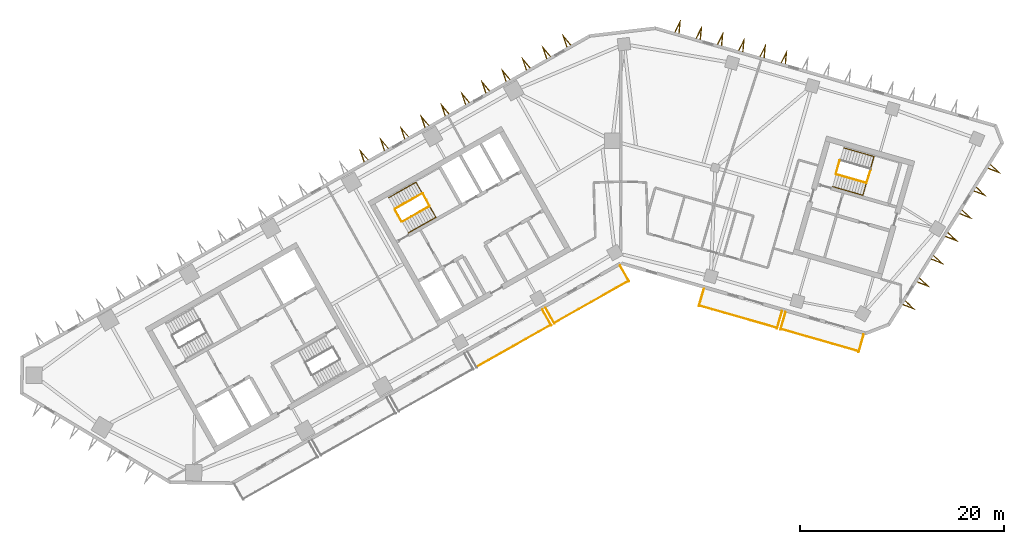
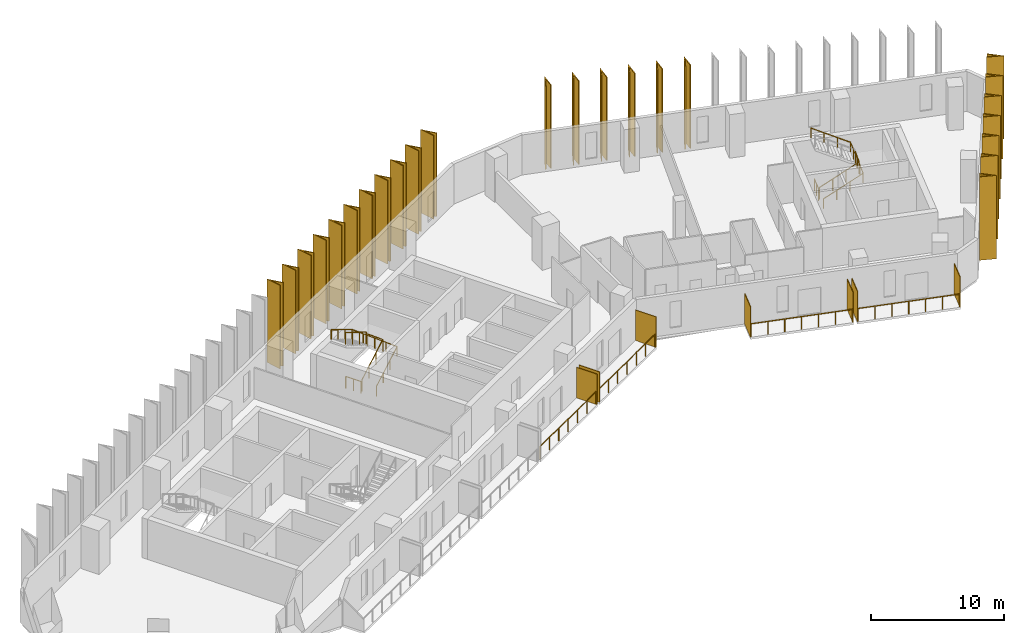
# One storey, part 9 of 10: 31 shading devices, 11 railings.
"""IFC4 building model written with IfcOpenShell, lengths in metres."""

import ifcopenshell
import ifcopenshell.guid

model = None  # the IFC model being written
_history = None  # IfcOwnerHistory: only IFC2X3 demands one
_inside = {}  # id of a spatial element -> (the spatial element, [elements in it])
_under = {}  # id of a project, library or spatial element -> (it, [spatial elements below it])
_declared = {}  # id of a project -> (the project, [libraries it declares])
_typed = {}  # id of a type object -> (the type object, [elements of that type])
_made_of = {}  # id of a material, layer set ... -> (it, [elements and type objects made of it])


def new_model(schema):
    """Start an empty IFC model of exactly this schema.

    Asked for "IFC4X3", IfcOpenShell would pick the latest addendum, in which some entities
    have other attributes; the version numbers below select the first issue.
    IFC2X3 requires an IfcOwnerHistory on every rooted entity: one is made here for all.
    """
    global model, _history
    if schema == "IFC4X3":
        model = ifcopenshell.file(schema_version=(4, 3, 0, 0))
    else:
        model = ifcopenshell.file(schema=schema)
    _inside.clear()
    _under.clear()
    _declared.clear()
    _typed.clear()
    _made_of.clear()
    _history = None
    if model.schema == "IFC2X3":
        org = make("IfcOrganization", Name="unknown")
        user = make(
            "IfcPersonAndOrganization",
            ThePerson=make("IfcPerson", FamilyName="unknown"),
            TheOrganization=org,
        )
        app = make(
            "IfcApplication",
            ApplicationDeveloper=org,
            Version="unknown",
            ApplicationFullName="unknown",
            ApplicationIdentifier="unknown",
        )
        _history = make(
            "IfcOwnerHistory",
            OwningUser=user,
            OwningApplication=app,
            ChangeAction="ADDED",
            CreationDate=0,
        )
    return model


def make(cls, **values):
    """One entity of the class cls with the attributes given. An attribute that is None is left unset."""
    return model.create_entity(
        cls, **{name: value for name, value in values.items() if value is not None}
    )


def rooted(cls, **values):
    """An entity with a GlobalId (a new one), such as an element, a storey or a relation."""
    return make(cls, GlobalId=ifcopenshell.guid.new(), OwnerHistory=_history, **values)


def si_unit(unit_type, name, prefix=None):
    """IfcSIUnit, for example si_unit("LENGTHUNIT", "METRE", prefix="MILLI")."""
    return make("IfcSIUnit", UnitType=unit_type, Prefix=prefix, Name=name)


def assignment(units):
    """IfcUnitAssignment: the units of a project."""
    return None if units is None else make("IfcUnitAssignment", Units=units)


def point(xyz):
    """IfcCartesianPoint."""
    return None if xyz is None else make("IfcCartesianPoint", Coordinates=xyz)


def direction(xyz):
    """IfcDirection."""
    return None if xyz is None else make("IfcDirection", DirectionRatios=xyz)


def frame(location, z_axis=None, x_axis=None):
    """IfcAxis2Placement3D, a coordinate frame: its origin and axes. An axis left out is left unset."""
    return make(
        "IfcAxis2Placement3D",
        Location=point(location),
        Axis=direction(z_axis),
        RefDirection=direction(x_axis),
    )


def frame_2d(location, x_axis=None):
    """IfcAxis2Placement2D, a coordinate frame in the plane: its origin and x axis."""
    return make(
        "IfcAxis2Placement2D", Location=point(location), RefDirection=direction(x_axis)
    )


def origin():
    """The frame at (0, 0, 0) with its axes left unset."""
    return frame((0.0, 0.0, 0.0))


def origin_2d():
    """The frame at (0, 0) in the plane with its x axis left unset."""
    return frame_2d((0.0, 0.0))


def place(relative_to, where):
    """IfcLocalPlacement: puts the frame where relative to a parent placement (None: the world)."""
    return make(
        "IfcLocalPlacement", PlacementRelTo=relative_to, RelativePlacement=where
    )


def context(
    kind, dimensions, precision=None, world=None, true_north=None, identifier=None
):
    """IfcGeometricRepresentationContext, for example the 3D "Model" context."""
    return make(
        "IfcGeometricRepresentationContext",
        ContextIdentifier=identifier,
        ContextType=kind,
        CoordinateSpaceDimension=dimensions,
        Precision=precision,
        WorldCoordinateSystem=world,
        TrueNorth=true_north,
    )


def subcontext(parent, identifier, kind, view, scale=None):
    """IfcGeometricRepresentationSubContext, for example "Body" below "Model"."""
    return make(
        "IfcGeometricRepresentationSubContext",
        ContextIdentifier=identifier,
        ContextType=kind,
        ParentContext=parent,
        TargetScale=scale,
        TargetView=view,
    )


def project(units=None, contexts=None):
    """IfcProject with its units and contexts."""
    return rooted(
        "IfcProject",
        Name="project",
        RepresentationContexts=contexts,
        UnitsInContext=assignment(units),
    )


def spatial(cls, under=None, at=None, **own):
    """A site, building, storey or space (cls), placed at a placement, below another one or the project."""
    s = rooted(cls, ObjectPlacement=at, **own)
    if under is not None:
        _under.setdefault(under.id(), (under, []))[1].append(s)
    return s


def polyline(points):
    """IfcPolyline through the points."""
    return make("IfcPolyline", Points=[point(p) for p in points])


def profile(cls, at=None, kind="AREA", **sizes):
    """A parametric profile (cls). Its sizes go by their IFC names, for example OverallWidth=200.0."""
    return make(cls, ProfileType=kind, Position=at, **sizes)


def rectangle(**sizes):
    """IfcRectangleProfileDef."""
    return profile("IfcRectangleProfileDef", **sizes)


def circle(**sizes):
    """IfcCircleProfileDef."""
    return profile("IfcCircleProfileDef", **sizes)


def outline(outer, holes=None, kind="AREA"):
    """IfcArbitraryClosedProfileDef: a profile drawn as a closed curve; with holes, ...WithVoids."""
    if holes is None:
        return make("IfcArbitraryClosedProfileDef", ProfileType=kind, OuterCurve=outer)
    return make(
        "IfcArbitraryProfileDefWithVoids",
        ProfileType=kind,
        OuterCurve=outer,
        InnerCurves=holes,
    )


def extrude(swept, where, along, depth):
    """IfcExtrudedAreaSolid: the profile swept, set in the frame where, extruded along a direction by depth."""
    return make(
        "IfcExtrudedAreaSolid",
        SweptArea=swept,
        Position=where,
        ExtrudedDirection=direction(along),
        Depth=depth,
    )


def shape(context_of_items, identifier, shape_type, items):
    """IfcShapeRepresentation: the items that make up one representation, for example the "Body"."""
    return make(
        "IfcShapeRepresentation",
        ContextOfItems=context_of_items,
        RepresentationIdentifier=identifier,
        RepresentationType=shape_type,
        Items=items,
    )


def material(Name=None, Category=None):
    """IfcMaterial."""
    return make("IfcMaterial", Name=Name, Category=Category)


def layer(
    of_material, thickness, ventilated=None, Name=None, Category=None, Priority=None
):
    """IfcMaterialLayer: one layer of a wall or slab, of a material (None: an air gap)."""
    return make(
        "IfcMaterialLayer",
        Material=of_material,
        LayerThickness=thickness,
        IsVentilated=ventilated,
        Name=Name,
        Category=Category,
        Priority=Priority,
    )


def layer_set(layers, Name=None):
    """IfcMaterialLayerSet."""
    return make("IfcMaterialLayerSet", MaterialLayers=layers, LayerSetName=Name)


def made_of(thing, what):
    """Note that an element or type object is made of a material, layer set ...; save() writes the relation."""
    if what is not None:
        _made_of.setdefault(what.id(), (what, []))[1].append(thing)
    return thing


def type_object(cls, material=None, **own):
    """A type object (cls), such as IfcWallType, which elements share."""
    return made_of(rooted(cls, **own), material)


def element(
    cls,
    number,
    at=None,
    inside=None,
    cuts=None,
    type_object=None,
    material=None,
    context=None,
    identifier="Body",
    shape_type=None,
    held_by="IfcProductDefinitionShape",
    body=None,
    shapes=None,
    **own,
):
    """One element of the class cls, such as IfcWall. Its Tag is "e" and its number.

    at: its placement. inside: the storey or other place that contains it. cuts: it is an
    opening in that element (IfcRelVoidsElement). A single representation is given by context,
    identifier, shape_type and body (its items); several are given by shapes. held_by: the class
    of the entity that holds the representations. save() writes the other relations.
    """
    e = rooted(cls, Tag="e%d" % number, ObjectPlacement=at, **own)
    if body is not None:
        shapes = [shape(context, identifier, shape_type, body)]
    if shapes is not None:
        e.Representation = make(held_by, Representations=shapes)
    if inside is not None:
        _inside.setdefault(inside.id(), (inside, []))[1].append(e)
    if cuts is not None:
        rooted(
            "IfcRelVoidsElement", RelatingBuildingElement=cuts, RelatedOpeningElement=e
        )
    if type_object is not None:
        _typed.setdefault(type_object.id(), (type_object, []))[1].append(e)
    return made_of(e, material)


def aggregate(whole, parts):
    """IfcRelAggregates: a whole, such as a stair, and the parts it consists of."""
    return rooted("IfcRelAggregates", RelatingObject=whole, RelatedObjects=parts)


def save(model, path):
    """Write the relations noted so far, then the file.

    IfcRelAggregates (storeys below a building ...), IfcRelContainedInSpatialStructure (elements
    in a storey), IfcRelDefinesByType, IfcRelAssociatesMaterial and IfcRelDeclares: one each for
    every whole, place, type object, material and project.
    """
    for whole, parts in _under.values():
        aggregate(whole, parts)
    for where, things in _inside.values():
        rooted(
            "IfcRelContainedInSpatialStructure",
            RelatedElements=things,
            RelatingStructure=where,
        )
    for kind, things in _typed.values():
        rooted("IfcRelDefinesByType", RelatedObjects=things, RelatingType=kind)
    for what, things in _made_of.values():
        rooted("IfcRelAssociatesMaterial", RelatedObjects=things, RelatingMaterial=what)
    for by, libraries in _declared.values():
        rooted("IfcRelDeclares", RelatingContext=by, RelatedDefinitions=libraries)
    model.write(path)


model = new_model("IFC4")

# Units and contexts
model_context = context("Model", 3, precision=1e-05, world=origin(), true_north=direction((0.0, 1.0)))
body_context = subcontext(model_context, "Body", "Model", "MODEL_VIEW")
ifc_project = project(units=[si_unit("LENGTHUNIT", "METRE"), si_unit("AREAUNIT", "SQUARE_METRE"), si_unit("VOLUMEUNIT", "CUBIC_METRE"), si_unit("PLANEANGLEUNIT", "RADIAN"), si_unit("MASSUNIT", "GRAM", prefix="KILO")], contexts=[model_context])

# Site, building, storey
site_placement = place(None, origin())
site = spatial("IfcSite", under=ifc_project, at=site_placement, CompositionType="ELEMENT")
building_placement = place(site_placement, origin())
building = spatial("IfcBuilding", under=site, at=building_placement, Name="Binnacle Exchange Tower", CompositionType="ELEMENT")
storey_placement = place(building_placement, frame((0.0, 0.0, 186.89990234375)))
storey = spatial("IfcBuildingStorey", under=building, at=storey_placement, Name="L40", CompositionType="ELEMENT", Elevation=186.89990234375)

# Railings
ifc_material_1 = material(Name="Bronze anodised aluminium frame", Category="aluminium")
railing_type_1 = type_object("IfcRailingType", Name="GUARD 1200", PredefinedType="GUARDRAIL", material=ifc_material_1)
railing_1_placement = place(storey_placement, frame((-14.135498046875, 37.85400390625, 0.0)))
element("IfcRailing", 1, at=railing_1_placement, inside=storey, type_object=railing_type_1, Name="Balcony guard G01-B03 L40", PredefinedType="GUARDRAIL", context=body_context, shape_type="SweptSolid", body=[
    extrude(circle(Radius=0.02392578125, at=origin_2d()), frame((0.0, 0.0, 1.17578125), z_axis=(0.870365821494, 0.492405662818, 0.0), x_axis=(-0.492405662818, 0.870365821494, 0.0)), (0.0, 0.0, 1.0), 8.334716796875),
    extrude(circle(Radius=0.02099609375, at=origin_2d()), origin(), (0.0, 0.0, 1.0), 1.15185546875),
    extrude(circle(Radius=0.02099609375, at=origin_2d()), frame((1.208984375, 0.68408203125, 0.0)), (0.0, 0.0, 1.0), 1.15185546875),
    extrude(circle(Radius=0.02099609375, at=origin_2d()), frame((2.41796875, 1.367919921875, 0.0)), (0.0, 0.0, 1.0), 1.15185546875),
    extrude(circle(Radius=0.02099609375, at=origin_2d()), frame((3.626953125, 2.052001953125, 0.0)), (0.0, 0.0, 1.0), 1.15185546875),
    extrude(circle(Radius=0.02099609375, at=origin_2d()), frame((4.836181640625, 2.736083984375, 0.0)), (0.0, 0.0, 1.0), 1.15185546875),
    extrude(circle(Radius=0.02099609375, at=origin_2d()), frame((6.045166015625, 3.419921875, 0.0)), (0.0, 0.0, 1.0), 1.15185546875),
    extrude(circle(Radius=0.02099609375, at=origin_2d()), frame((7.254150390625, 4.10400390625, 0.0)), (0.0, 0.0, 1.0), 1.15185546875),
])
railing_2_placement = place(storey_placement, frame((-6.515869140625, 42.164794921875, 0.0)))
element("IfcRailing", 2, at=railing_2_placement, inside=storey, type_object=railing_type_1, Name="Balcony guard G01-B04 L40", PredefinedType="GUARDRAIL", context=body_context, shape_type="SweptSolid", body=[
    extrude(circle(Radius=0.02392578125, at=origin_2d()), frame((0.0, 0.0, 1.17578125), z_axis=(0.8703461643, 0.49244040684, 0.0), x_axis=(-0.49244040684, 0.8703461643, 0.0)), (0.0, 0.0, 1.0), 8.33447265625),
    extrude(circle(Radius=0.02099609375, at=origin_2d()), origin(), (0.0, 0.0, 1.0), 1.15185546875),
    extrude(circle(Radius=0.02099609375, at=origin_2d()), frame((1.208984375, 0.68408203125, 0.0)), (0.0, 0.0, 1.0), 1.15185546875),
    extrude(circle(Radius=0.02099609375, at=origin_2d()), frame((2.41796875, 1.3681640625, 0.0)), (0.0, 0.0, 1.0), 1.15185546875),
    extrude(circle(Radius=0.02099609375, at=origin_2d()), frame((3.626953125, 2.05224609375, 0.0)), (0.0, 0.0, 1.0), 1.15185546875),
    extrude(circle(Radius=0.02099609375, at=origin_2d()), frame((4.8359375, 2.736083984375, 0.0)), (0.0, 0.0, 1.0), 1.15185546875),
    extrude(circle(Radius=0.02099609375, at=origin_2d()), frame((6.044921875, 3.420166015625, 0.0)), (0.0, 0.0, 1.0), 1.15185546875),
    extrude(circle(Radius=0.02099609375, at=origin_2d()), frame((7.25390625, 4.104248046875, 0.0)), (0.0, 0.0, 1.0), 1.15185546875),
])
for number, where, name in (
    (3, (7.6845703125, 43.85107421875, 0.0), "Balcony guard G02-B01 L40"),
    (4, (15.6826171875, 41.5576171875, 0.0), "Balcony guard G02-B02 L40"),
):
    element("IfcRailing", number, at=place(storey_placement, frame(where)), inside=storey, type_object=railing_type_1, Name=name, PredefinedType="GUARDRAIL", context=body_context, shape_type="SweptSolid", body=[
        extrude(circle(Radius=0.02392578125, at=origin_2d()), frame((0.0, 0.0, 1.17578125), z_axis=(0.961265805968, -0.275623022035, 0.0), x_axis=(0.275623022035, 0.961265805968, 0.0)), (0.0, 0.0, 1.0), 7.900146484375),
        extrude(circle(Radius=0.02099609375, at=origin_2d()), origin(), (0.0, 0.0, 1.0), 1.15185546875),
        extrude(circle(Radius=0.02099609375, at=origin_2d()), frame((1.265625, -0.36279296875, 0.0)), (0.0, 0.0, 1.0), 1.15185546875),
        extrude(circle(Radius=0.02099609375, at=origin_2d()), frame((2.531494140625, -0.725830078125, 0.0)), (0.0, 0.0, 1.0), 1.15185546875),
        extrude(circle(Radius=0.02099609375, at=origin_2d()), frame((3.797119140625, -1.0888671875, 0.0)), (0.0, 0.0, 1.0), 1.15185546875),
        extrude(circle(Radius=0.02099609375, at=origin_2d()), frame((5.062744140625, -1.45166015625, 0.0)), (0.0, 0.0, 1.0), 1.15185546875),
        extrude(circle(Radius=0.02099609375, at=origin_2d()), frame((6.32861328125, -1.814453125, 0.0)), (0.0, 0.0, 1.0), 1.15185546875),
        extrude(circle(Radius=0.02099609375, at=origin_2d()), frame((7.59423828125, -2.177490234375, 0.0)), (0.0, 0.0, 1.0), 1.15185546875),
    ])

# Shading devices
ifc_material_2 = material(Name="Bronze aluminium louvre", Category="aluminium")
ifc_layer = layer(ifc_material_2, 0.06005859375)
ifc_layer_set = layer_set([ifc_layer], Name="PLANTED SCREEN 60x2800")
shading_device_type_1 = type_object("IfcShadingDeviceType", Name="PLANTED SCREEN 60x2800", PredefinedType="USERDEFINED", material=ifc_layer_set)
for number, where, z_axis, x_axis, name in (
    (5, (-7.259033203125, 42.6865234375, 0.0), (0.0, 0.0, 1.0), (0.87035569594, 0.492423560103, 0.0), "Planted screen G01-B03b L40"),
    (6, (-6.94580078125, 42.864013671875, 0.0), (0.0, 0.0, 1.0), (0.87035569594, 0.492423560103, 0.0), "Planted screen G01-B04a L40"),
    (7, (0.3603515625, 46.99755859375, 0.0), (0.0, 0.0, 1.0), (0.87035569594, 0.492423560103, 0.0), "Planted screen G01-B04b L40"),
    (8, (7.881591796875, 44.647705078125, 0.0), (0.0, 0.0, 1.0), (0.961261695938, -0.275637355817, 0.0), "Planted screen G02-B01a L40"),
    (9, (15.53369140625, 42.45361328125, 0.0), (0.0, 0.0, 1.0), (0.961261695938, -0.275637355817, 0.0), "Planted screen G02-B01b L40"),
    (10, (15.8798828125, 42.354248046875, 0.0), (0.0, 0.0, 1.0), (0.961261695938, -0.275637355817, 0.0), "Planted screen G02-B02a L40"),
    (11, (23.53173828125, 40.16015625, 0.0), (0.0, 0.0, 1.0), (0.961261695938, -0.275637355817, 0.0), "Planted screen G02-B02b L40"),
):
    element("IfcShadingDevice", number, at=place(storey_placement, frame(where, z_axis=z_axis, x_axis=x_axis)), inside=storey, type_object=shading_device_type_1, Name=name, ObjectType="SCREEN", PredefinedType="USERDEFINED", context=body_context, shape_type="SweptSolid", body=[
        extrude(rectangle(XDim=0.06005859375, YDim=1.800048828125, at=origin_2d()), origin(), (0.0, 0.0, 1.0), 2.800048828125),
    ])

# Railings
ifc_material_3 = material(Name="Steel guard rail", Category="steel")
railing_type_2 = type_object("IfcRailingType", Name="STAIR GUARD 1100", PredefinedType="GUARDRAIL", material=ifc_material_3)
railing_3_placement = place(storey_placement, frame((-21.423828125, 52.07275390625, 0.166748046875)))
element("IfcRailing", 12, at=railing_3_placement, inside=storey, type_object=railing_type_2, Name="L40 STC1 stair guard 1", PredefinedType="GUARDRAIL", context=body_context, shape_type="SweptSolid", body=[
    extrude(circle(Radius=0.02392578125, at=origin_2d()), frame((0.0, 0.0, 1.076171875), z_axis=(0.747900833971, 0.423129324283, 0.511474258861), x_axis=(-0.492412445098, 0.870361984414, 0.0)), (0.0, 0.0, 1.0), 3.584228515625),
    extrude(circle(Radius=0.02392578125, at=origin_2d()), frame((2.6806640625, 1.5166015625, 2.9091796875), z_axis=(-0.460963092712, 0.887419307406, 0.0), x_axis=(-0.887419307406, -0.460963092712, 0.0)), (0.0, 0.0, 1.0), 1.40087890625),
    extrude(circle(Radius=0.02099609375, at=origin_2d()), origin(), (0.0, 0.0, 1.0), 1.052001953125),
    extrude(circle(Radius=0.02099609375, at=origin_2d()), frame((0.8935546875, 0.505615234375, 0.611083984375)), (0.0, 0.0, 1.0), 1.052001953125),
    extrude(circle(Radius=0.02099609375, at=origin_2d()), frame((1.787109375, 1.010986328125, 1.22216796875)), (0.0, 0.0, 1.0), 1.052001953125),
    extrude(circle(Radius=0.02099609375, at=origin_2d()), frame((2.6806640625, 1.5166015625, 1.833251953125)), (0.0, 0.0, 1.0), 1.052001953125),
    extrude(circle(Radius=0.02099609375, at=origin_2d()), frame((2.35791015625, 2.13818359375, 1.833251953125)), (0.0, 0.0, 1.0), 1.052001953125),
    extrude(circle(Radius=0.02099609375, at=origin_2d()), frame((2.034912109375, 2.759765625, 1.833251953125)), (0.0, 0.0, 1.0), 1.052001953125),
])
railing_4_placement = place(storey_placement, frame((-19.45703125, 54.851318359375, 2.166748046875)))
element("IfcRailing", 13, at=railing_4_placement, inside=storey, type_object=railing_type_2, Name="L40 STC1 stair guard 2", PredefinedType="GUARDRAIL", context=body_context, shape_type="SweptSolid", body=[
    extrude(circle(Radius=0.02392578125, at=origin_2d()), frame((0.0, 0.0, 1.076171875), z_axis=(-0.747900833971, -0.423129324283, 0.511474258861), x_axis=(0.492412445098, -0.870361984414, 0.0)), (0.0, 0.0, 1.0), 3.584228515625),
    extrude(circle(Radius=0.02099609375, at=origin_2d()), origin(), (0.0, 0.0, 1.0), 1.052001953125),
    extrude(circle(Radius=0.02099609375, at=origin_2d()), frame((-0.8935546875, -0.505615234375, 0.611083984375)), (0.0, 0.0, 1.0), 1.052001953125),
    extrude(circle(Radius=0.02099609375, at=origin_2d()), frame((-1.787109375, -1.010986328125, 1.22216796875)), (0.0, 0.0, 1.0), 1.052001953125),
    extrude(circle(Radius=0.02099609375, at=origin_2d()), frame((-2.6806640625, -1.5166015625, 1.833251953125)), (0.0, 0.0, 1.0), 1.052001953125),
])
railing_5_placement = place(storey_placement, frame((-21.491943359375, 52.091552734375, 0.0)))
element("IfcRailing", 14, at=railing_5_placement, inside=storey, type_object=railing_type_2, Name="L40 STC1 stair guard 3", PredefinedType="GUARDRAIL", context=body_context, shape_type="SweptSolid", body=[
    extrude(circle(Radius=0.02392578125, at=origin_2d()), frame((0.0, 0.0, 1.076171875), z_axis=(-0.49241474071, 0.870360685654, 0.0), x_axis=(-0.870360685654, -0.49241474071, 0.0)), (0.0, 0.0, 1.0), 1.35009765625),
    extrude(circle(Radius=0.02099609375, at=origin_2d()), origin(), (0.0, 0.0, 1.0), 1.052001953125),
    extrude(circle(Radius=0.02099609375, at=origin_2d()), frame((-0.33251953125, 0.58740234375, 0.0)), (0.0, 0.0, 1.0), 1.052001953125),
    extrude(circle(Radius=0.02099609375, at=origin_2d()), frame((-0.664794921875, 1.175048828125, 0.0)), (0.0, 0.0, 1.0), 1.052001953125),
])
railing_6_placement = place(storey_placement, frame((21.086669921875, 56.71044921875, 0.166748046875)))
element("IfcRailing", 15, at=railing_6_placement, inside=storey, type_object=railing_type_2, Name="L40 STD1 stair guard 1", PredefinedType="GUARDRAIL", context=body_context, shape_type="SweptSolid", body=[
    extrude(circle(Radius=0.02392578125, at=origin_2d()), frame((0.0, 0.0, 1.076171875), z_axis=(0.826006950853, -0.236897186037, 0.511460888427), x_axis=(0.27568413623, 0.961248280639, 0.0)), (0.0, 0.0, 1.0), 3.584228515625),
    extrude(circle(Radius=0.02392578125, at=origin_2d()), frame((2.960693359375, -0.84912109375, 2.9091796875), z_axis=(0.309684985722, 0.950839213337, 0.0), x_axis=(-0.950839213337, 0.309684985722, 0.0)), (0.0, 0.0, 1.0), 1.40087890625),
    extrude(circle(Radius=0.02099609375, at=origin_2d()), origin(), (0.0, 0.0, 1.0), 1.052001953125),
    extrude(circle(Radius=0.02099609375, at=origin_2d()), frame((0.98681640625, -0.282958984375, 0.611083984375)), (0.0, 0.0, 1.0), 1.052001953125),
    extrude(circle(Radius=0.02099609375, at=origin_2d()), frame((1.973876953125, -0.566162109375, 1.22216796875)), (0.0, 0.0, 1.0), 1.052001953125),
    extrude(circle(Radius=0.02099609375, at=origin_2d()), frame((2.960693359375, -0.84912109375, 1.833251953125)), (0.0, 0.0, 1.0), 1.052001953125),
    extrude(circle(Radius=0.02099609375, at=origin_2d()), frame((3.177734375, -0.18310546875, 1.833251953125)), (0.0, 0.0, 1.0), 1.052001953125),
    extrude(circle(Radius=0.02099609375, at=origin_2d()), frame((3.39453125, 0.48291015625, 1.833251953125)), (0.0, 0.0, 1.0), 1.052001953125),
])
railing_7_placement = place(storey_placement, frame((21.05224609375, 56.772216796875, 0.0)))
element("IfcRailing", 16, at=railing_7_placement, inside=storey, type_object=railing_type_2, Name="L40 STD1 stair guard 3", PredefinedType="GUARDRAIL", context=body_context, shape_type="SweptSolid", body=[
    extrude(circle(Radius=0.02392578125, at=origin_2d()), frame((0.0, 0.0, 1.076171875), z_axis=(0.275795817769, 0.961216243569, 0.0), x_axis=(-0.961216243569, 0.275795817769, 0.0)), (0.0, 0.0, 1.0), 1.349853515625),
    extrude(circle(Radius=0.02099609375, at=origin_2d()), origin(), (0.0, 0.0, 1.0), 1.052001953125),
    extrude(circle(Radius=0.02099609375, at=origin_2d()), frame((0.18603515625, 0.64892578125, 0.0)), (0.0, 0.0, 1.0), 1.052001953125),
    extrude(circle(Radius=0.02099609375, at=origin_2d()), frame((0.372314453125, 1.297607421875, 0.0)), (0.0, 0.0, 1.0), 1.052001953125),
])
ifc_material_4 = material(Name="Steel handrail", Category="steel")
railing_type_3 = type_object("IfcRailingType", Name="STAIR HANDRAIL 900", PredefinedType="HANDRAIL", material=ifc_material_4)
railing_8_placement = place(storey_placement, frame((-20.808349609375, 50.984619140625, 0.166748046875)))
element("IfcRailing", 17, at=railing_8_placement, inside=storey, type_object=railing_type_3, Name="L40 STC1 stair handrail 1", PredefinedType="HANDRAIL", context=body_context, shape_type="SweptSolid", body=[
    extrude(circle(Radius=0.02392578125, at=origin_2d()), frame((0.0, 0.0, 0.8759765625), z_axis=(0.747909291085, 0.423163685048, 0.51143346387), x_axis=(-0.49243851748, 0.870347233294, 0.0)), (0.0, 0.0, 1.0), 3.58447265625),
    extrude(circle(Radius=0.02392578125, at=origin_2d()), frame((2.680908203125, 1.516845703125, 2.708984375), z_axis=(-0.492001882252, 0.86957179666, 0.042178647619), x_axis=(-0.87034633103, -0.492440112159, 0.0)), (0.0, 0.0, 1.0), 3.953369140625),
    extrude(circle(Radius=0.02392578125, at=origin_2d()), frame((0.73583984375, 4.95458984375, 2.8759765625), z_axis=(-0.747930846092, -0.423107769413, 0.511448203561), x_axis=(0.492378474645, -0.870381202524, 0.0)), (0.0, 0.0, 1.0), 3.58447265625),
    extrude(circle(Radius=0.02099609375, at=origin_2d()), origin(), (0.0, 0.0, 1.0), 0.851806640625),
    extrude(circle(Radius=0.02099609375, at=origin_2d()), frame((0.8935546875, 0.505615234375, 0.611083984375)), (0.0, 0.0, 1.0), 0.851806640625),
    extrude(circle(Radius=0.02099609375, at=origin_2d()), frame((1.787353515625, 1.01123046875, 1.22216796875)), (0.0, 0.0, 1.0), 0.851806640625),
    extrude(circle(Radius=0.02099609375, at=origin_2d()), frame((2.680908203125, 1.516845703125, 1.833251953125)), (0.0, 0.0, 1.0), 0.851806640625),
    extrude(circle(Radius=0.02099609375, at=origin_2d()), frame((2.194580078125, 2.376220703125, 1.875)), (0.0, 0.0, 1.0), 0.851806640625),
    extrude(circle(Radius=0.02099609375, at=origin_2d()), frame((1.70849609375, 3.23583984375, 1.91650390625)), (0.0, 0.0, 1.0), 0.851806640625),
    extrude(circle(Radius=0.02099609375, at=origin_2d()), frame((1.22216796875, 4.09521484375, 1.958251953125)), (0.0, 0.0, 1.0), 0.851806640625),
    extrude(circle(Radius=0.02099609375, at=origin_2d()), frame((0.73583984375, 4.95458984375, 2.0)), (0.0, 0.0, 1.0), 0.851806640625),
    extrude(circle(Radius=0.02099609375, at=origin_2d()), frame((-0.15771484375, 4.448974609375, 2.611083984375)), (0.0, 0.0, 1.0), 0.851806640625),
    extrude(circle(Radius=0.02099609375, at=origin_2d()), frame((-1.051513671875, 3.943603515625, 3.22216796875)), (0.0, 0.0, 1.0), 0.851806640625),
    extrude(circle(Radius=0.02099609375, at=origin_2d()), frame((-1.945068359375, 3.43798828125, 3.833251953125)), (0.0, 0.0, 1.0), 0.851806640625),
])
railing_9_placement = place(storey_placement, frame((20.7421875, 55.5087890625, 0.166748046875)))
element("IfcRailing", 18, at=railing_9_placement, inside=storey, type_object=railing_type_3, Name="L40 STD1 stair handrail 1", PredefinedType="HANDRAIL", context=body_context, shape_type="SweptSolid", body=[
    extrude(circle(Radius=0.02392578125, at=origin_2d()), frame((0.0, 0.0, 0.8759765625), z_axis=(0.826020277534, -0.236832893954, 0.511469140266), x_axis=(0.275610892984, 0.961269283639, 0.0)), (0.0, 0.0, 1.0), 3.584228515625),
    extrude(circle(Radius=0.02392578125, at=origin_2d()), frame((2.960693359375, -0.848876953125, 2.708984375), z_axis=(0.275365570671, 0.960413849534, 0.042178668932), x_axis=(-0.961269298493, 0.275610841177, 0.0)), (0.0, 0.0, 1.0), 3.953369140625),
    extrude(circle(Radius=0.02392578125, at=origin_2d()), frame((4.04931640625, 2.947998046875, 2.8759765625), z_axis=(-0.826020277534, 0.236832893954, 0.511469140266), x_axis=(-0.275610892984, -0.961269283639, 0.0)), (0.0, 0.0, 1.0), 3.584228515625),
    extrude(circle(Radius=0.02099609375, at=origin_2d()), origin(), (0.0, 0.0, 1.0), 0.851806640625),
    extrude(circle(Radius=0.02099609375, at=origin_2d()), frame((0.98681640625, -0.282958984375, 0.611083984375)), (0.0, 0.0, 1.0), 0.851806640625),
    extrude(circle(Radius=0.02099609375, at=origin_2d()), frame((1.973876953125, -0.56591796875, 1.22216796875)), (0.0, 0.0, 1.0), 0.851806640625),
    extrude(circle(Radius=0.02099609375, at=origin_2d()), frame((2.960693359375, -0.848876953125, 1.833251953125)), (0.0, 0.0, 1.0), 0.851806640625),
    extrude(circle(Radius=0.02099609375, at=origin_2d()), frame((3.23291015625, 0.100341796875, 1.875)), (0.0, 0.0, 1.0), 0.851806640625),
    extrude(circle(Radius=0.02099609375, at=origin_2d()), frame((3.5048828125, 1.049560546875, 1.91650390625)), (0.0, 0.0, 1.0), 0.851806640625),
    extrude(circle(Radius=0.02099609375, at=origin_2d()), frame((3.777099609375, 1.998779296875, 1.958251953125)), (0.0, 0.0, 1.0), 0.851806640625),
    extrude(circle(Radius=0.02099609375, at=origin_2d()), frame((4.04931640625, 2.947998046875, 2.0)), (0.0, 0.0, 1.0), 0.851806640625),
    extrude(circle(Radius=0.02099609375, at=origin_2d()), frame((3.0625, 3.23095703125, 2.611083984375)), (0.0, 0.0, 1.0), 0.851806640625),
    extrude(circle(Radius=0.02099609375, at=origin_2d()), frame((2.075439453125, 3.513916015625, 3.22216796875)), (0.0, 0.0, 1.0), 0.851806640625),
    extrude(circle(Radius=0.02099609375, at=origin_2d()), frame((1.088623046875, 3.796875, 3.833251953125)), (0.0, 0.0, 1.0), 0.851806640625),
])

# Shading devices
ifc_material_5 = material(Name="Bronze aluminium cladding", Category="aluminium")
shading_device_type_2 = type_object("IfcShadingDeviceType", Name="V FIN 1300 DEEP x 7680 HIGH", PredefinedType="USERDEFINED", material=ifc_material_5)
shading_device_1_placement = place(storey_placement, origin())
element("IfcShadingDevice", 19, at=shading_device_1_placement, inside=storey, type_object=shading_device_type_2, Name="V fin FN-G04-01 L40", ObjectType="FIN", PredefinedType="USERDEFINED", context=body_context, shape_type="SweptSolid", body=[
    extrude(outline(polyline([(27.61669921875, 43.9130859375), (28.851806640625, 43.43603515625), (27.881591796875, 44.3369140625), (27.83837890625, 44.267822265625), (28.492431640625, 43.66064453125), (27.659912109375, 43.982177734375), (27.61669921875, 43.9130859375)])), origin(), (0.0, 0.0, 1.0), 7.68017578125),
])
shading_device_2_placement = place(storey_placement, origin())
element("IfcShadingDevice", 20, at=shading_device_2_placement, inside=storey, type_object=shading_device_type_2, Name="V fin FN-G04-02 L40", ObjectType="FIN", PredefinedType="USERDEFINED", context=body_context, shape_type="SweptSolid", body=[
    extrude(outline(polyline([(29.0078125, 46.13916015625), (30.242919921875, 45.662353515625), (29.272705078125, 46.563232421875), (29.2294921875, 46.494140625), (29.883544921875, 45.88671875), (29.051025390625, 46.208251953125), (29.0078125, 46.13916015625)])), origin(), (0.0, 0.0, 1.0), 7.68017578125),
])
shading_device_3_placement = place(storey_placement, origin())
element("IfcShadingDevice", 21, at=shading_device_3_placement, inside=storey, type_object=shading_device_type_2, Name="V fin FN-G04-03 L40", ObjectType="FIN", PredefinedType="USERDEFINED", context=body_context, shape_type="SweptSolid", body=[
    extrude(outline(polyline([(30.398681640625, 48.365234375), (31.6337890625, 47.888427734375), (30.663818359375, 48.789306640625), (30.62060546875, 48.72021484375), (31.2744140625, 48.11279296875), (30.44189453125, 48.434326171875), (30.398681640625, 48.365234375)])), origin(), (0.0, 0.0, 1.0), 7.68017578125),
])
shading_device_4_placement = place(storey_placement, origin())
element("IfcShadingDevice", 22, at=shading_device_4_placement, inside=storey, type_object=shading_device_type_2, Name="V fin FN-G04-04 L40", ObjectType="FIN", PredefinedType="USERDEFINED", context=body_context, shape_type="SweptSolid", body=[
    extrude(outline(polyline([(31.789794921875, 50.59130859375), (33.02490234375, 50.114501953125), (32.054931640625, 51.015380859375), (32.01171875, 50.9462890625), (32.66552734375, 50.339111328125), (31.8330078125, 50.660400390625), (31.789794921875, 50.59130859375)])), origin(), (0.0, 0.0, 1.0), 7.68017578125),
])
shading_device_5_placement = place(storey_placement, origin())
element("IfcShadingDevice", 23, at=shading_device_5_placement, inside=storey, type_object=shading_device_type_2, Name="V fin FN-G04-05 L40", ObjectType="FIN", PredefinedType="USERDEFINED", context=body_context, shape_type="SweptSolid", body=[
    extrude(outline(polyline([(33.180908203125, 52.8173828125), (34.416015625, 52.340576171875), (33.44580078125, 53.241455078125), (33.402587890625, 53.17236328125), (34.056640625, 52.565185546875), (33.22412109375, 52.88671875), (33.180908203125, 52.8173828125)])), origin(), (0.0, 0.0, 1.0), 7.68017578125),
])
shading_device_6_placement = place(storey_placement, origin())
element("IfcShadingDevice", 24, at=shading_device_6_placement, inside=storey, type_object=shading_device_type_2, Name="V fin FN-G04-06 L40", ObjectType="FIN", PredefinedType="USERDEFINED", context=body_context, shape_type="SweptSolid", body=[
    extrude(outline(polyline([(34.572021484375, 55.043701171875), (35.806884765625, 54.56689453125), (34.8369140625, 55.4677734375), (34.793701171875, 55.398681640625), (35.447509765625, 54.791259765625), (34.614990234375, 55.11279296875), (34.572021484375, 55.043701171875)])), origin(), (0.0, 0.0, 1.0), 7.68017578125),
])
shading_device_7_placement = place(storey_placement, origin())
element("IfcShadingDevice", 25, at=shading_device_7_placement, inside=storey, type_object=shading_device_type_2, Name="V fin FN-G04-07 L40", ObjectType="FIN", PredefinedType="USERDEFINED", context=body_context, shape_type="SweptSolid", body=[
    extrude(outline(polyline([(35.962890625, 57.269775390625), (37.197998046875, 56.79296875), (36.22802734375, 57.69384765625), (36.184814453125, 57.624755859375), (36.838623046875, 57.017333984375), (36.006103515625, 57.3388671875), (35.962890625, 57.269775390625)])), origin(), (0.0, 0.0, 1.0), 7.68017578125),
])
shading_device_8_placement = place(storey_placement, origin())
element("IfcShadingDevice", 26, at=shading_device_8_placement, inside=storey, type_object=shading_device_type_2, Name="V fin FN-G06-10 L40", ObjectType="FIN", PredefinedType="USERDEFINED", context=body_context, shape_type="SweptSolid", body=[
    extrude(outline(polyline([(16.151611328125, 67.524658203125), (16.26953125, 68.84326171875), (15.6708984375, 67.66259765625), (15.749267578125, 67.64013671875), (16.15283203125, 68.43603515625), (16.0732421875, 67.547119140625), (16.151611328125, 67.524658203125)])), origin(), (0.0, 0.0, 1.0), 7.68017578125),
])
shading_device_9_placement = place(storey_placement, origin())
element("IfcShadingDevice", 27, at=shading_device_9_placement, inside=storey, type_object=shading_device_type_2, Name="V fin FN-G06-11 L40", ObjectType="FIN", PredefinedType="USERDEFINED", context=body_context, shape_type="SweptSolid", body=[
    extrude(outline(polyline([(14.0673828125, 68.122314453125), (14.185302734375, 69.44091796875), (13.586669921875, 68.260009765625), (13.6650390625, 68.23779296875), (14.068603515625, 69.03369140625), (13.989013671875, 68.144775390625), (14.0673828125, 68.122314453125)])), origin(), (0.0, 0.0, 1.0), 7.68017578125),
])
shading_device_10_placement = place(storey_placement, origin())
element("IfcShadingDevice", 28, at=shading_device_10_placement, inside=storey, type_object=shading_device_type_2, Name="V fin FN-G06-12 L40", ObjectType="FIN", PredefinedType="USERDEFINED", context=body_context, shape_type="SweptSolid", body=[
    extrude(outline(polyline([(11.98291015625, 68.719970703125), (12.10107421875, 70.03857421875), (11.50244140625, 68.85791015625), (11.580810546875, 68.83544921875), (11.984375, 69.63134765625), (11.90478515625, 68.742431640625), (11.98291015625, 68.719970703125)])), origin(), (0.0, 0.0, 1.0), 7.68017578125),
])
shading_device_11_placement = place(storey_placement, origin())
element("IfcShadingDevice", 29, at=shading_device_11_placement, inside=storey, type_object=shading_device_type_2, Name="V fin FN-G06-13 L40", ObjectType="FIN", PredefinedType="USERDEFINED", context=body_context, shape_type="SweptSolid", body=[
    extrude(outline(polyline([(9.898681640625, 69.317626953125), (10.016845703125, 70.635986328125), (9.418212890625, 69.455322265625), (9.49658203125, 69.43310546875), (9.900146484375, 70.22900390625), (9.820556640625, 69.340087890625), (9.898681640625, 69.317626953125)])), origin(), (0.0, 0.0, 1.0), 7.68017578125),
])
shading_device_12_placement = place(storey_placement, origin())
element("IfcShadingDevice", 30, at=shading_device_12_placement, inside=storey, type_object=shading_device_type_2, Name="V fin FN-G06-14 L40", ObjectType="FIN", PredefinedType="USERDEFINED", context=body_context, shape_type="SweptSolid", body=[
    extrude(outline(polyline([(7.814453125, 69.915283203125), (7.9326171875, 71.233642578125), (7.333984375, 70.052978515625), (7.412109375, 70.030517578125), (7.81591796875, 70.826416015625), (7.736083984375, 69.9375), (7.814453125, 69.915283203125)])), origin(), (0.0, 0.0, 1.0), 7.68017578125),
])
shading_device_13_placement = place(storey_placement, origin())
element("IfcShadingDevice", 31, at=shading_device_13_placement, inside=storey, type_object=shading_device_type_2, Name="V fin FN-G06-15 L40", ObjectType="FIN", PredefinedType="USERDEFINED", context=body_context, shape_type="SweptSolid", body=[
    extrude(outline(polyline([(5.730224609375, 70.512939453125), (5.84814453125, 71.831298828125), (5.24951171875, 70.650634765625), (5.327880859375, 70.62841796875), (5.7314453125, 71.42431640625), (5.65185546875, 70.535400390625), (5.730224609375, 70.512939453125)])), origin(), (0.0, 0.0, 1.0), 7.68017578125),
])
shading_device_14_placement = place(storey_placement, origin())
element("IfcShadingDevice", 32, at=shading_device_14_placement, inside=storey, type_object=shading_device_type_2, Name="V fin FN-G08-01 L40", ObjectType="FIN", PredefinedType="USERDEFINED", context=body_context, shape_type="SweptSolid", body=[
    extrude(outline(polyline([(-4.88916015625, 69.40625), (-5.746826171875, 70.41455078125), (-5.32421875, 69.159912109375), (-5.25341796875, 69.2001953125), (-5.5380859375, 70.0458984375), (-4.9599609375, 69.3662109375), (-4.88916015625, 69.40625)])), origin(), (0.0, 0.0, 1.0), 7.68017578125),
])
shading_device_15_placement = place(storey_placement, origin())
element("IfcShadingDevice", 33, at=shading_device_15_placement, inside=storey, type_object=shading_device_type_2, Name="V fin FN-G08-02 L40", ObjectType="FIN", PredefinedType="USERDEFINED", context=body_context, shape_type="SweptSolid", body=[
    extrude(outline(polyline([(-6.87548828125, 68.2822265625), (-7.7333984375, 69.290771484375), (-7.310791015625, 68.0361328125), (-7.239990234375, 68.076171875), (-7.524658203125, 68.922119140625), (-6.946533203125, 68.2421875), (-6.87548828125, 68.2822265625)])), origin(), (0.0, 0.0, 1.0), 7.68017578125),
])
shading_device_16_placement = place(storey_placement, origin())
element("IfcShadingDevice", 34, at=shading_device_16_placement, inside=storey, type_object=shading_device_type_2, Name="V fin FN-G08-03 L40", ObjectType="FIN", PredefinedType="USERDEFINED", context=body_context, shape_type="SweptSolid", body=[
    extrude(outline(polyline([(-8.862060546875, 67.158203125), (-9.719970703125, 68.166748046875), (-9.29736328125, 66.912109375), (-9.226318359375, 66.9521484375), (-9.51123046875, 67.798095703125), (-8.93310546875, 67.1181640625), (-8.862060546875, 67.158203125)])), origin(), (0.0, 0.0, 1.0), 7.68017578125),
])
shading_device_17_placement = place(storey_placement, origin())
element("IfcShadingDevice", 35, at=shading_device_17_placement, inside=storey, type_object=shading_device_type_2, Name="V fin FN-G08-04 L40", ObjectType="FIN", PredefinedType="USERDEFINED", context=body_context, shape_type="SweptSolid", body=[
    extrude(outline(polyline([(-10.8486328125, 66.034423828125), (-11.70654296875, 67.042724609375), (-11.283935546875, 65.7880859375), (-11.212890625, 65.828369140625), (-11.497802734375, 66.674072265625), (-10.919677734375, 65.994384765625), (-10.8486328125, 66.034423828125)])), origin(), (0.0, 0.0, 1.0), 7.68017578125),
])
shading_device_18_placement = place(storey_placement, origin())
element("IfcShadingDevice", 36, at=shading_device_18_placement, inside=storey, type_object=shading_device_type_2, Name="V fin FN-G08-05 L40", ObjectType="FIN", PredefinedType="USERDEFINED", context=body_context, shape_type="SweptSolid", body=[
    extrude(outline(polyline([(-12.835205078125, 64.910400390625), (-13.693115234375, 65.9189453125), (-13.2705078125, 64.664306640625), (-13.199462890625, 64.704345703125), (-13.484375, 65.55029296875), (-12.906005859375, 64.870361328125), (-12.835205078125, 64.910400390625)])), origin(), (0.0, 0.0, 1.0), 7.68017578125),
])
shading_device_19_placement = place(storey_placement, origin())
element("IfcShadingDevice", 37, at=shading_device_19_placement, inside=storey, type_object=shading_device_type_2, Name="V fin FN-G08-06 L40", ObjectType="FIN", PredefinedType="USERDEFINED", context=body_context, shape_type="SweptSolid", body=[
    extrude(outline(polyline([(-14.82177734375, 63.78662109375), (-15.6796875, 64.794921875), (-15.257080078125, 63.540283203125), (-15.18603515625, 63.580322265625), (-15.470947265625, 64.42626953125), (-14.892578125, 63.746337890625), (-14.82177734375, 63.78662109375)])), origin(), (0.0, 0.0, 1.0), 7.68017578125),
])
shading_device_20_placement = place(storey_placement, origin())
element("IfcShadingDevice", 38, at=shading_device_20_placement, inside=storey, type_object=shading_device_type_2, Name="V fin FN-G08-07 L40", ObjectType="FIN", PredefinedType="USERDEFINED", context=body_context, shape_type="SweptSolid", body=[
    extrude(outline(polyline([(-16.808349609375, 62.66259765625), (-17.666015625, 63.6708984375), (-17.243408203125, 62.41650390625), (-17.172607421875, 62.45654296875), (-17.45751953125, 63.30224609375), (-16.879150390625, 62.62255859375), (-16.808349609375, 62.66259765625)])), origin(), (0.0, 0.0, 1.0), 7.68017578125),
])
shading_device_21_placement = place(storey_placement, origin())
element("IfcShadingDevice", 39, at=shading_device_21_placement, inside=storey, type_object=shading_device_type_2, Name="V fin FN-G08-08 L40", ObjectType="FIN", PredefinedType="USERDEFINED", context=body_context, shape_type="SweptSolid", body=[
    extrude(outline(polyline([(-18.794921875, 61.53857421875), (-19.652587890625, 62.547119140625), (-19.22998046875, 61.29248046875), (-19.1591796875, 61.33251953125), (-19.444091796875, 62.17822265625), (-18.86572265625, 61.49853515625), (-18.794921875, 61.53857421875)])), origin(), (0.0, 0.0, 1.0), 7.68017578125),
])
shading_device_22_placement = place(storey_placement, origin())
element("IfcShadingDevice", 40, at=shading_device_22_placement, inside=storey, type_object=shading_device_type_2, Name="V fin FN-G08-09 L40", ObjectType="FIN", PredefinedType="USERDEFINED", context=body_context, shape_type="SweptSolid", body=[
    extrude(outline(polyline([(-20.781494140625, 60.414794921875), (-21.639404296875, 61.423095703125), (-21.216796875, 60.16845703125), (-21.145751953125, 60.20849609375), (-21.4306640625, 61.054443359375), (-20.852294921875, 60.37451171875), (-20.781494140625, 60.414794921875)])), origin(), (0.0, 0.0, 1.0), 7.68017578125),
])
shading_device_23_placement = place(storey_placement, origin())
element("IfcShadingDevice", 41, at=shading_device_23_placement, inside=storey, type_object=shading_device_type_2, Name="V fin FN-G08-10 L40", ObjectType="FIN", PredefinedType="USERDEFINED", context=body_context, shape_type="SweptSolid", body=[
    extrude(outline(polyline([(-22.76806640625, 59.290771484375), (-23.625732421875, 60.29931640625), (-23.203125, 59.044677734375), (-23.13232421875, 59.084716796875), (-23.4169921875, 59.930419921875), (-22.8388671875, 59.250732421875), (-22.76806640625, 59.290771484375)])), origin(), (0.0, 0.0, 1.0), 7.68017578125),
])
shading_device_24_placement = place(storey_placement, origin())
element("IfcShadingDevice", 42, at=shading_device_24_placement, inside=storey, type_object=shading_device_type_2, Name="V fin FN-G08-11 L40", ObjectType="FIN", PredefinedType="USERDEFINED", context=body_context, shape_type="SweptSolid", body=[
    extrude(outline(polyline([(-24.754638671875, 58.166748046875), (-25.6123046875, 59.17529296875), (-25.189697265625, 57.920654296875), (-25.118896484375, 57.960693359375), (-25.40380859375, 58.806396484375), (-24.825439453125, 58.126708984375), (-24.754638671875, 58.166748046875)])), origin(), (0.0, 0.0, 1.0), 7.68017578125),
])

save(model, "model.ifc")
